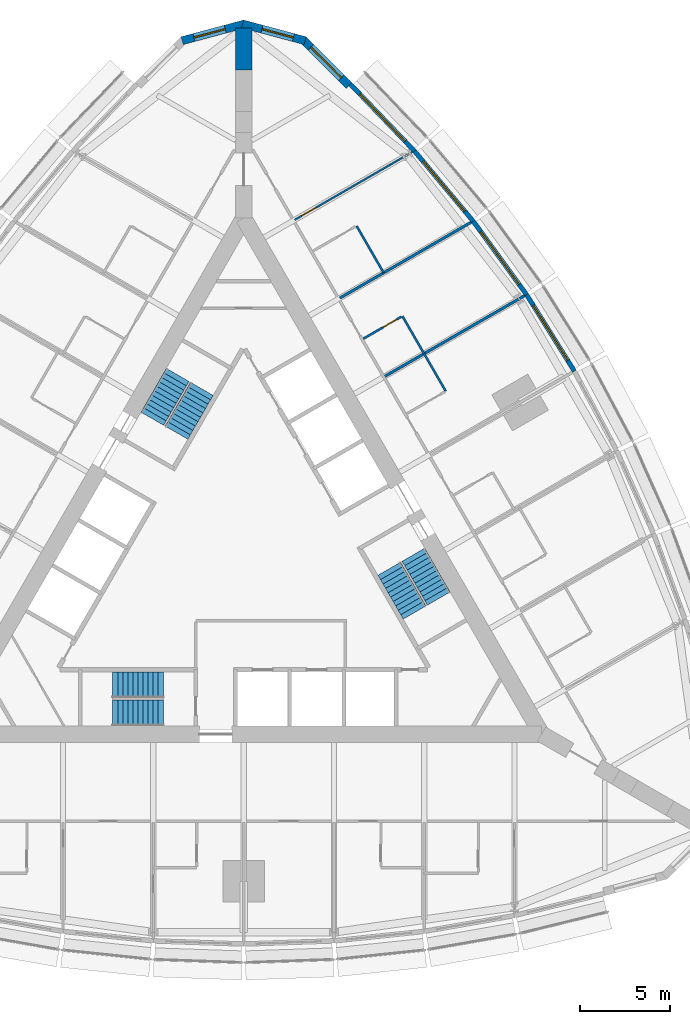
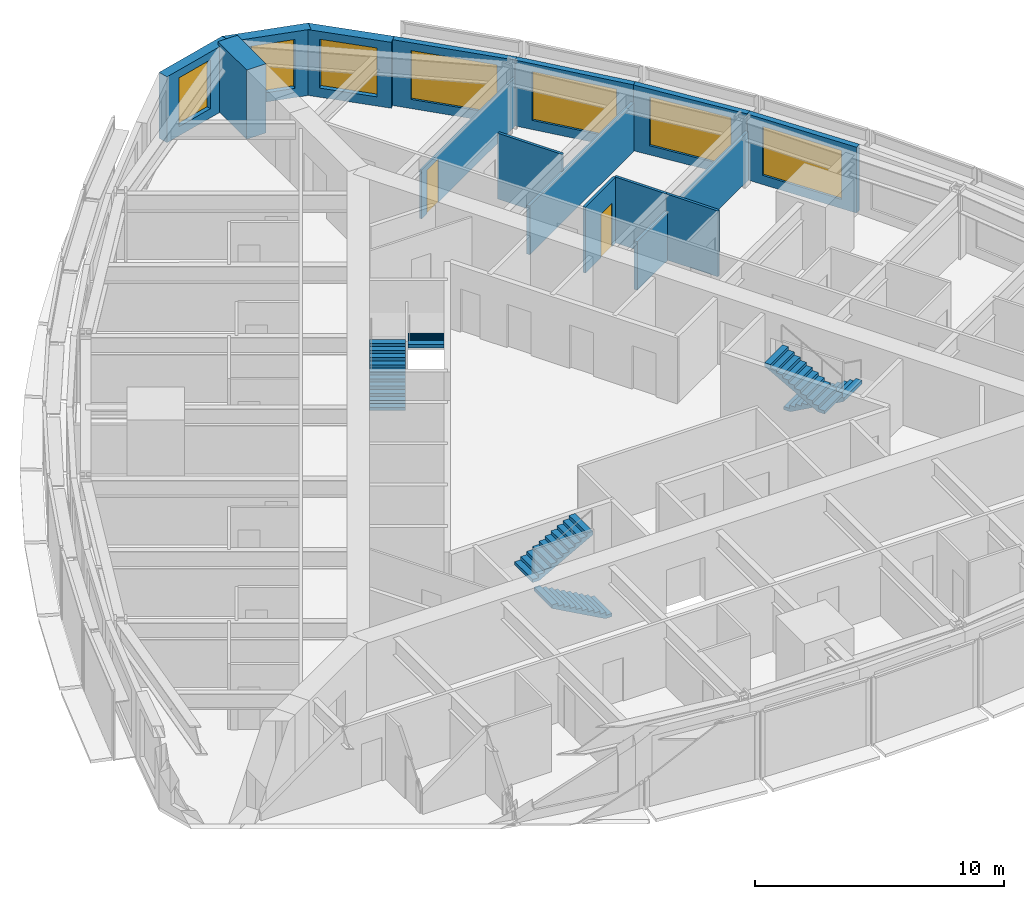
# One storey, part 13 of 14: 15 walls, 7 windows, 6 stair flights, 2 doors, 9 openings, 3 elements without a shape of their own.
"""IFC4 building model written with IfcOpenShell, lengths in metres."""

from ifc_helpers import new_model, si_unit, direction, frame, frame_2d, origin, place, context, subcontext, project, spatial, polyline, rectangle, outline, extrude, material, layer, layer_set, type_object, element, fill, aggregate, save


model = new_model("IFC4")

# Units and contexts
model_context = context("Model", 3, precision=1e-05, world=origin(), true_north=direction((0.0, 1.0)))
body_context = subcontext(model_context, "Body", "Model", "MODEL_VIEW")
ifc_project = project(units=[si_unit("LENGTHUNIT", "METRE"), si_unit("AREAUNIT", "SQUARE_METRE"), si_unit("VOLUMEUNIT", "CUBIC_METRE"), si_unit("PLANEANGLEUNIT", "RADIAN"), si_unit("MASSUNIT", "GRAM", prefix="KILO")], contexts=[model_context])

# Site, building, storey
site_placement = place(None, origin())
site = spatial("IfcSite", under=ifc_project, at=site_placement, CompositionType="ELEMENT")
building_placement = place(site_placement, origin())
building = spatial("IfcBuilding", under=site, at=building_placement, Name="Trikona Tower", CompositionType="ELEMENT")
storey_placement = place(building_placement, frame((0.0, 0.0, 138.5)))
storey = spatial("IfcBuildingStorey", under=building, at=storey_placement, Name="L36", CompositionType="ELEMENT", Elevation=138.5)

# Walls
ifc_material_1 = material(Name="Metal stud and cement board", Category="gypsum")
ifc_layer_1 = layer(ifc_material_1, 0.1201171875)
ifc_layer_set_1 = layer_set([ifc_layer_1], Name="Bathroom wall 120")
wall_type_1 = type_object("IfcWallType", Name="Bathroom wall 120", PredefinedType="PLUMBINGWALL", material=ifc_layer_set_1)
for number, where, z_axis, x_axis, name in (
    (1, (11.193603515625, 9.46484375, 0.0), (0.0, 0.0, 1.0), (-0.500077600433, 0.865980596518, 0.0), "Bathroom wall 3608"),
    (2, (9.993408203125, 11.543212890625, 0.0), (0.0, 0.0, 1.0), (-0.500001309137, 0.866024647952, 0.0), "Bathroom wall 3609"),
):
    element("IfcWall", number, at=place(storey_placement, frame(where, z_axis=z_axis, x_axis=x_axis)), inside=storey, type_object=wall_type_1, Name=name, PredefinedType="PLUMBINGWALL", context=body_context, shape_type="SweptSolid", body=[
        extrude(rectangle(XDim=2.39990234375, YDim=0.1201171875, at=frame_2d((1.199951171875, 0.0))), origin(), (0.0, 0.0, 1.0), 3.235107421875),
    ])

# Wall, opening, door
wall_1_placement = place(storey_placement, frame((6.62841796875, 12.37158203125, 0.0), z_axis=(0.0, 0.0, 1.0), x_axis=(0.866005645448, 0.500034220881, 0.0)))
wall_1 = element("IfcWall", 3, at=wall_1_placement, inside=storey, type_object=wall_type_1, Name="Bathroom wall 3609", PredefinedType="PLUMBINGWALL", context=body_context, shape_type="SweptSolid", body=[
    extrude(rectangle(XDim=2.440185546875, YDim=0.1201171875, at=frame_2d((1.22021484375, 0.0))), origin(), (0.0, 0.0, 1.0), 3.235107421875),
])
opening_1_placement = place(wall_1_placement, frame((1.25, 0.0, 0.0)))
opening_1 = element("IfcOpeningElement", 4, at=opening_1_placement, cuts=wall_1, Name="Opening D2", PredefinedType="OPENING", context=body_context, shape_type="SweptSolid", body=[
    extrude(rectangle(XDim=0.89990234375, YDim=2.1298828125, at=frame_2d((0.449951171875, 1.06494140625))), frame((0.0, 0.070068359375, 0.0), z_axis=(0.0, -1.0, 0.0), x_axis=(1.0, 0.0, 0.0)), (0.0, 0.0, 1.0), 0.14013671875),
])
ifc_material_2 = material(Name="Steel door frame with solid-core timber leaf", Category="steel")
door_type_1 = type_object("IfcDoorType", Name="Bathroom door 900x2130", OperationType="SLIDING_TO_LEFT", PredefinedType="DOOR", material=ifc_material_2)
door_1_placement = place(opening_1_placement, origin())
door_1 = element("IfcDoor", 5, at=door_1_placement, inside=storey, type_object=door_type_1, Name="Bathroom door 3609", OperationType="SLIDING_TO_LEFT", OverallHeight=2.1298828125, OverallWidth=0.89990234375, PredefinedType="DOOR", context=body_context, shape_type="SweptSolid", body=[
    extrude(rectangle(XDim=0.89990234375, YDim=2.1298828125, at=frame_2d((0.449951171875, 1.06494140625))), frame((0.0, 0.02490234375, 0.0), z_axis=(0.0, -1.0, 0.0), x_axis=(1.0, 0.0, 0.0)), (0.0, 0.0, 1.0), 0.050048828125),
])
fill(opening_1, door_1)

# Wall
wall_2_placement = place(storey_placement, frame((7.75341796875, 16.0234375, 0.0), z_axis=(0.0, 0.0, 1.0), x_axis=(-0.499990139034, 0.866031096941, 0.0)))
element("IfcWall", 6, at=wall_2_placement, inside=storey, type_object=wall_type_1, Name="Bathroom wall 3610.1", PredefinedType="PLUMBINGWALL", context=body_context, shape_type="SweptSolid", body=[
    extrude(rectangle(XDim=3.0, YDim=0.1201171875, at=frame_2d((1.5, 0.0))), origin(), (0.0, 0.0, 1.0), 3.235107421875),
])

# Wall, opening, window
ifc_material_3 = material(Name="Brick-faced precast concrete", Category="masonry")
ifc_layer_2 = layer(ifc_material_3, 0.449951171875)
ifc_layer_set_2 = layer_set([ifc_layer_2], Name="Brick-faced corner wall 450")
wall_type_2 = type_object("IfcWallType", Name="Brick-faced corner wall 450", PredefinedType="SOLIDWALL", material=ifc_layer_set_2)
wall_3_placement = place(storey_placement, frame((5.8408203125, 26.39892578125, 0.0), z_axis=(0.0, 0.0, 1.0), x_axis=(-0.707106781187, 0.707106781187, 0.0)))
wall_3 = element("IfcWall", 7, at=wall_3_placement, inside=storey, type_object=wall_type_2, Name="External wall L36-20", PredefinedType="SOLIDWALL", context=body_context, shape_type="SweptSolid", body=[
    extrude(rectangle(XDim=3.586181640625, YDim=0.449951171875, at=frame_2d((1.79296875, 0.0))), origin(), (0.0, 0.0, 1.0), 3.235107421875),
])
opening_2_placement = place(wall_3_placement, frame((0.59326171875, 0.0, 0.449951171875)))
opening_2 = element("IfcOpeningElement", 8, at=opening_2_placement, cuts=wall_3, Name="Opening W2424", PredefinedType="OPENING", context=body_context, shape_type="SweptSolid", body=[
    extrude(rectangle(XDim=2.39990234375, YDim=2.39990234375, at=frame_2d((1.199951171875, 1.199951171875))), frame((0.0, 0.23486328125, 0.0), z_axis=(0.0, -1.0, 0.0), x_axis=(1.0, 0.0, 0.0)), (0.0, 0.0, 1.0), 0.469970703125),
])
ifc_material_4 = material(Name="Aluminium-framed double glazing", Category="aluminium")
window_type_1 = type_object("IfcWindowType", Name="Window 2400x2400", PartitioningType="SINGLE_PANEL", PredefinedType="WINDOW", material=ifc_material_4)
window_1_placement = place(opening_2_placement, origin())
window_1 = element("IfcWindow", 9, at=window_1_placement, inside=storey, type_object=window_type_1, Name="Window 3610", OverallHeight=2.39990234375, OverallWidth=2.39990234375, PartitioningType="SINGLE_PANEL", PredefinedType="WINDOW", context=body_context, shape_type="SweptSolid", body=[
    extrude(rectangle(XDim=2.39990234375, YDim=2.39990234375, at=frame_2d((1.199951171875, 1.199951171875))), frame((0.0, 0.030029296875, 0.0), z_axis=(0.0, -1.0, 0.0), x_axis=(1.0, 0.0, 0.0)), (0.0, 0.0, 1.0), 0.06005859375),
])
fill(opening_2, window_1)

wall_4_placement = place(storey_placement, frame((3.406005859375, 28.876708984375, 0.0), z_axis=(0.0, 0.0, 1.0), x_axis=(-0.965924653531, 0.258823421857, 0.0)))
wall_4 = element("IfcWall", 10, at=wall_4_placement, inside=storey, type_object=wall_type_2, Name="External wall L36-21", PredefinedType="SOLIDWALL", context=body_context, shape_type="SweptSolid", body=[
    extrude(outline(polyline([(3.58642578125, 0.22509765625), (3.526611328125, 0.22509765625), (3.035400390625, 0.09326171875), (3.0, 0.22509765625), (0.0, 0.22509765625), (0.0, -0.22509765625), (3.58642578125, -0.22509765625), (3.58642578125, 0.22509765625)])), origin(), (0.0, 0.0, 1.0), 3.235107421875),
])
opening_3_placement = place(wall_4_placement, frame((0.6748046875, 0.0, 0.449951171875)))
opening_3 = element("IfcOpeningElement", 11, at=opening_3_placement, cuts=wall_4, Name="Opening W1824", PredefinedType="OPENING", context=body_context, shape_type="SweptSolid", body=[
    extrude(rectangle(XDim=1.800048828125, YDim=2.39990234375, at=frame_2d((0.89990234375, 1.199951171875))), frame((0.0, 0.23486328125, 0.0), z_axis=(0.0, -1.0, 0.0), x_axis=(1.0, 0.0, 0.0)), (0.0, 0.0, 1.0), 0.469970703125),
])
ifc_material_5 = material(Name="Aluminium-framed double glazing", Category="aluminium")
window_type_2 = type_object("IfcWindowType", Name="Window 1800x2400", PartitioningType="SINGLE_PANEL", PredefinedType="WINDOW", material=ifc_material_5)
window_2_placement = place(opening_3_placement, origin())
window_2 = element("IfcWindow", 12, at=window_2_placement, inside=storey, type_object=window_type_2, Name="Window 3610", OverallHeight=2.39990234375, OverallWidth=1.800048828125, PartitioningType="SINGLE_PANEL", PredefinedType="WINDOW", context=body_context, shape_type="SweptSolid", body=[
    extrude(rectangle(XDim=1.800048828125, YDim=2.39990234375, at=frame_2d((0.89990234375, 1.199951171875))), frame((0.0, 0.030029296875, 0.0), z_axis=(0.0, -1.0, 0.0), x_axis=(1.0, 0.0, 0.0)), (0.0, 0.0, 1.0), 0.06005859375),
])
fill(opening_3, window_2)

wall_5_placement = place(storey_placement, frame((0.05810546875, 29.804931640625, 0.0), z_axis=(0.0, 0.0, 1.0), x_axis=(-0.965924653531, -0.258823421857, 0.0)))
wall_5 = element("IfcWall", 13, at=wall_5_placement, inside=storey, type_object=wall_type_2, Name="External wall L36-22", PredefinedType="SOLIDWALL", context=body_context, shape_type="SweptSolid", body=[
    extrude(outline(polyline([(3.58642578125, 0.22509765625), (0.58642578125, 0.22509765625), (0.551025390625, 0.09326171875), (0.0595703125, 0.22509765625), (0.0, 0.22509765625), (0.0, -0.22509765625), (3.58642578125, -0.22509765625), (3.58642578125, 0.22509765625)])), origin(), (0.0, 0.0, 1.0), 3.235107421875),
])
opening_4_placement = place(wall_5_placement, frame((1.111328125, 0.0, 0.449951171875)))
opening_4 = element("IfcOpeningElement", 14, at=opening_4_placement, cuts=wall_5, Name="Opening W1824", PredefinedType="OPENING", context=body_context, shape_type="SweptSolid", body=[
    extrude(rectangle(XDim=1.800048828125, YDim=2.39990234375, at=frame_2d((0.89990234375, 1.199951171875))), frame((0.0, 0.23486328125, 0.0), z_axis=(0.0, -1.0, 0.0), x_axis=(1.0, 0.0, 0.0)), (0.0, 0.0, 1.0), 0.469970703125),
])
window_3_placement = place(opening_4_placement, origin())
window_3 = element("IfcWindow", 15, at=window_3_placement, inside=storey, type_object=window_type_2, Name="Window 3611", OverallHeight=2.39990234375, OverallWidth=1.800048828125, PartitioningType="SINGLE_PANEL", PredefinedType="WINDOW", context=body_context, shape_type="SweptSolid", body=[
    extrude(rectangle(XDim=1.800048828125, YDim=2.39990234375, at=frame_2d((0.89990234375, 1.199951171875))), frame((0.0, 0.030029296875, 0.0), z_axis=(0.0, -1.0, 0.0), x_axis=(1.0, 0.0, 0.0)), (0.0, 0.0, 1.0), 0.06005859375),
])
fill(opening_4, window_3)

# Wall
ifc_material_6 = material(Name="Concrete f'c 10000 psi", Category="concrete")
ifc_layer_3 = layer(ifc_material_6, 0.89990234375)
ifc_layer_set_3 = layer_set([ifc_layer_3], Name="Buttress wall 900")
wall_type_3 = type_object("IfcWallType", Name="Buttress wall 900", PredefinedType="SHEAR", material=ifc_layer_set_3)
wall_6_placement = place(storey_placement, frame((0.0, 27.2626953125, 0.0), z_axis=(0.0, 0.0, 1.0), x_axis=(0.0, 1.0, 0.0)))
element("IfcWall", 16, at=wall_6_placement, inside=storey, type_object=wall_type_3, Name="Buttress wall 2 part 4", PredefinedType="SHEAR", context=body_context, shape_type="SweptSolid", body=[
    extrude(rectangle(XDim=2.3095703125, YDim=0.89990234375, at=frame_2d((1.15478515625, 0.0))), origin(), (0.0, 0.0, 1.0), 3.39990234375),
])

# Wall, opening, window
ifc_material_7 = material(Name="Insulated precast concrete spandrel panel", Category="concrete")
ifc_layer_4 = layer(ifc_material_7, 0.25)
ifc_layer_set_4 = layer_set([ifc_layer_4], Name="Inner skin wall 250")
wall_type_4 = type_object("IfcWallType", Name="Inner skin wall 250", PredefinedType="STANDARD", material=ifc_layer_set_4)
wall_7_placement = place(storey_placement, frame((18.31884765625, 10.5712890625, 0.0), z_axis=(0.0, 0.0, 1.0), x_axis=(-0.529990167382, 0.84800378683, 0.0)))
wall_7 = element("IfcWall", 17, at=wall_7_placement, inside=storey, type_object=wall_type_4, Name="External wall L36-16", PredefinedType="STANDARD", context=body_context, shape_type="SweptSolid", body=[
    extrude(rectangle(XDim=5.003173828125, YDim=0.25, at=frame_2d((2.50146484375, 0.0))), origin(), (0.0, 0.0, 1.0), 3.235107421875),
])
opening_5_placement = place(wall_7_placement, frame((0.701416015625, 0.0, 0.449951171875)))
opening_5 = element("IfcOpeningElement", 18, at=opening_5_placement, cuts=wall_7, Name="Opening W3624", PredefinedType="OPENING", context=body_context, shape_type="SweptSolid", body=[
    extrude(rectangle(XDim=3.60009765625, YDim=2.39990234375, at=frame_2d((1.800048828125, 1.199951171875))), frame((0.0, 0.135009765625, 0.0), z_axis=(0.0, -1.0, 0.0), x_axis=(1.0, 0.0, 0.0)), (0.0, 0.0, 1.0), 0.27001953125),
])
ifc_material_8 = material(Name="Aluminium-framed double glazing", Category="aluminium")
window_type_3 = type_object("IfcWindowType", Name="Window 3600x2400", PartitioningType="SINGLE_PANEL", PredefinedType="WINDOW", material=ifc_material_8)
window_4_placement = place(opening_5_placement, origin())
window_4 = element("IfcWindow", 19, at=window_4_placement, inside=storey, type_object=window_type_3, Name="Window 3608", OverallHeight=2.39990234375, OverallWidth=3.60009765625, PartitioningType="SINGLE_PANEL", PredefinedType="WINDOW", context=body_context, shape_type="SweptSolid", body=[
    extrude(rectangle(XDim=3.60009765625, YDim=2.39990234375, at=frame_2d((1.800048828125, 1.199951171875))), frame((0.0, 0.030029296875, 0.0), z_axis=(0.0, -1.0, 0.0), x_axis=(1.0, 0.0, 0.0)), (0.0, 0.0, 1.0), 0.06005859375),
])
fill(opening_5, window_4)

wall_8_placement = place(storey_placement, frame((15.672119140625, 14.806640625, 0.0), z_axis=(0.0, 0.0, 1.0), x_axis=(-0.587669188412, 0.809101307001, 0.0)))
wall_8 = element("IfcWall", 20, at=wall_8_placement, inside=storey, type_object=wall_type_4, Name="External wall L36-17", PredefinedType="STANDARD", context=body_context, shape_type="SweptSolid", body=[
    extrude(rectangle(XDim=5.027587890625, YDim=0.25, at=frame_2d((2.513671875, 0.0))), origin(), (0.0, 0.0, 1.0), 3.235107421875),
])
opening_6_placement = place(wall_8_placement, frame((0.7138671875, 0.0, 0.449951171875)))
opening_6 = element("IfcOpeningElement", 21, at=opening_6_placement, cuts=wall_8, Name="Opening W3624", PredefinedType="OPENING", context=body_context, shape_type="SweptSolid", body=[
    extrude(rectangle(XDim=3.60009765625, YDim=2.39990234375, at=frame_2d((1.800048828125, 1.199951171875))), frame((0.0, 0.135009765625, 0.0), z_axis=(0.0, -1.0, 0.0), x_axis=(1.0, 0.0, 0.0)), (0.0, 0.0, 1.0), 0.27001953125),
])
window_5_placement = place(opening_6_placement, origin())
window_5 = element("IfcWindow", 22, at=window_5_placement, inside=storey, type_object=window_type_3, Name="Window 3609", OverallHeight=2.39990234375, OverallWidth=3.60009765625, PartitioningType="SINGLE_PANEL", PredefinedType="WINDOW", context=body_context, shape_type="SweptSolid", body=[
    extrude(rectangle(XDim=3.60009765625, YDim=2.39990234375, at=frame_2d((1.800048828125, 1.199951171875))), frame((0.0, 0.030029296875, 0.0), z_axis=(0.0, -1.0, 0.0), x_axis=(1.0, 0.0, 0.0)), (0.0, 0.0, 1.0), 0.06005859375),
])
fill(opening_6, window_5)

wall_9_placement = place(storey_placement, frame((12.722900390625, 18.86767578125, 0.0), z_axis=(0.0, 0.0, 1.0), x_axis=(-0.641810386606, 0.766863369607, 0.0)))
wall_9 = element("IfcWall", 23, at=wall_9_placement, inside=storey, type_object=wall_type_4, Name="External wall L36-18", PredefinedType="STANDARD", context=body_context, shape_type="SweptSolid", body=[
    extrude(rectangle(XDim=5.075927734375, YDim=0.25, at=frame_2d((2.5380859375, 0.0))), origin(), (0.0, 0.0, 1.0), 3.235107421875),
])
opening_7_placement = place(wall_9_placement, frame((0.738037109375, 0.0, 0.449951171875)))
opening_7 = element("IfcOpeningElement", 24, at=opening_7_placement, cuts=wall_9, Name="Opening W3624", PredefinedType="OPENING", context=body_context, shape_type="SweptSolid", body=[
    extrude(rectangle(XDim=3.60009765625, YDim=2.39990234375, at=frame_2d((1.800048828125, 1.199951171875))), frame((0.0, 0.135009765625, 0.0), z_axis=(0.0, -1.0, 0.0), x_axis=(1.0, 0.0, 0.0)), (0.0, 0.0, 1.0), 0.27001953125),
])
window_6_placement = place(opening_7_placement, origin())
window_6 = element("IfcWindow", 25, at=window_6_placement, inside=storey, type_object=window_type_3, Name="Window 3610.1", OverallHeight=2.39990234375, OverallWidth=3.60009765625, PartitioningType="SINGLE_PANEL", PredefinedType="WINDOW", context=body_context, shape_type="SweptSolid", body=[
    extrude(rectangle(XDim=3.60009765625, YDim=2.39990234375, at=frame_2d((1.800048828125, 1.199951171875))), frame((0.0, 0.030029296875, 0.0), z_axis=(0.0, -1.0, 0.0), x_axis=(1.0, 0.0, 0.0)), (0.0, 0.0, 1.0), 0.06005859375),
])
fill(opening_7, window_6)

wall_10_placement = place(storey_placement, frame((9.470703125, 22.75390625, 0.0), z_axis=(0.0, 0.0, 1.0), x_axis=(-0.691719937936, 0.722165858693, 0.0)))
wall_10 = element("IfcWall", 26, at=wall_10_placement, inside=storey, type_object=wall_type_4, Name="External wall L36-19", PredefinedType="STANDARD", context=body_context, shape_type="SweptSolid", body=[
    extrude(rectangle(XDim=5.148193359375, YDim=0.25, at=frame_2d((2.57421875, 0.0))), origin(), (0.0, 0.0, 1.0), 3.235107421875),
])
opening_8_placement = place(wall_10_placement, frame((0.77392578125, 0.0, 0.449951171875)))
opening_8 = element("IfcOpeningElement", 27, at=opening_8_placement, cuts=wall_10, Name="Opening W3624", PredefinedType="OPENING", context=body_context, shape_type="SweptSolid", body=[
    extrude(rectangle(XDim=3.60009765625, YDim=2.39990234375, at=frame_2d((1.800048828125, 1.199951171875))), frame((0.0, 0.135009765625, 0.0), z_axis=(0.0, -1.0, 0.0), x_axis=(1.0, 0.0, 0.0)), (0.0, 0.0, 1.0), 0.27001953125),
])
window_7_placement = place(opening_8_placement, origin())
window_7 = element("IfcWindow", 28, at=window_7_placement, inside=storey, type_object=window_type_3, Name="Window 3610", OverallHeight=2.39990234375, OverallWidth=3.60009765625, PartitioningType="SINGLE_PANEL", PredefinedType="WINDOW", context=body_context, shape_type="SweptSolid", body=[
    extrude(rectangle(XDim=3.60009765625, YDim=2.39990234375, at=frame_2d((1.800048828125, 1.199951171875))), frame((0.0, 0.030029296875, 0.0), z_axis=(0.0, -1.0, 0.0), x_axis=(1.0, 0.0, 0.0)), (0.0, 0.0, 1.0), 0.06005859375),
])
fill(opening_8, window_7)

# Walls
ifc_material_9 = material(Name="Metal stud and gypsum board, 1-hour acoustic", Category="gypsum")
ifc_layer_5 = layer(ifc_material_9, 0.14990234375)
ifc_layer_set_5 = layer_set([ifc_layer_5], Name="Party wall 150")
wall_type_5 = type_object("IfcWallType", Name="Party wall 150", PredefinedType="PARTITIONING", material=ifc_layer_set_5)
wall_11_placement = place(storey_placement, frame((7.82861328125, 10.293212890625, 0.0), z_axis=(0.0, 0.0, 1.0), x_axis=(0.866027015393, 0.499997208602, 0.0)))
element("IfcWall", 29, at=wall_11_placement, inside=storey, type_object=wall_type_5, Name="Partition L36 F2 u5", PredefinedType="PARTITIONING", context=body_context, shape_type="SweptSolid", body=[
    extrude(rectangle(XDim=8.92236328125, YDim=0.14990234375, at=frame_2d((4.461181640625, 0.0))), origin(), (0.0, 0.0, 1.0), 2.38916015625),
])
wall_12_placement = place(storey_placement, frame((5.32861328125, 14.623291015625, 0.0), z_axis=(0.0, 0.0, 1.0), x_axis=(0.866011723728, 0.500023693804, 0.0)))
element("IfcWall", 30, at=wall_12_placement, inside=storey, type_object=wall_type_5, Name="Partition L36 F2 u10", PredefinedType="PARTITIONING", context=body_context, shape_type="SweptSolid", body=[
    extrude(rectangle(XDim=8.39501953125, YDim=0.14990234375, at=frame_2d((4.197509765625, 0.0))), origin(), (0.0, 0.0, 1.0), 2.38916015625),
])

# Wall, opening, door
ifc_material_10 = material(Name="Metal stud and gypsum board, acoustic", Category="gypsum")
ifc_layer_6 = layer(ifc_material_10, 0.10009765625)
ifc_layer_set_6 = layer_set([ifc_layer_6], Name="Suite partition 100")
wall_type_6 = type_object("IfcWallType", Name="Suite partition 100", PredefinedType="PARTITIONING", material=ifc_layer_set_6)
wall_13_placement = place(storey_placement, frame((2.82861328125, 18.95361328125, 0.0), z_axis=(0.0, 0.0, 1.0), x_axis=(0.866015739374, 0.500016738876, 0.0)))
wall_13 = element("IfcWall", 31, at=wall_13_placement, inside=storey, type_object=wall_type_6, Name="Suite partition L36 F2 u15", PredefinedType="PARTITIONING", context=body_context, shape_type="SweptSolid", body=[
    extrude(rectangle(XDim=7.516357421875, YDim=0.10009765625, at=frame_2d((3.75830078125, 0.0))), origin(), (0.0, 0.0, 1.0), 2.38916015625),
])
opening_9_placement = place(wall_13_placement, frame((0.449951171875, 0.0, 0.0)))
opening_9 = element("IfcOpeningElement", 32, at=opening_9_placement, cuts=wall_13, Name="Opening D13", PredefinedType="OPENING", context=body_context, shape_type="SweptSolid", body=[
    extrude(rectangle(XDim=0.89990234375, YDim=2.1298828125, at=frame_2d((0.449951171875, 1.06494140625))), frame((0.0, 0.06005859375, 0.0), z_axis=(0.0, -1.0, 0.0), x_axis=(1.0, 0.0, 0.0)), (0.0, 0.0, 1.0), 0.1201171875),
])
ifc_material_11 = material(Name="Steel door frame with solid-core timber leaf", Category="steel")
door_type_2 = type_object("IfcDoorType", Name="Suite door 900x2130", OperationType="SINGLE_SWING_LEFT", PredefinedType="DOOR", material=ifc_material_11)
door_2_placement = place(opening_9_placement, origin())
door_2 = element("IfcDoor", 33, at=door_2_placement, inside=storey, type_object=door_type_2, Name="Suite door 3610", OperationType="SINGLE_SWING_LEFT", OverallHeight=2.1298828125, OverallWidth=0.89990234375, PredefinedType="DOOR", context=body_context, shape_type="SweptSolid", body=[
    extrude(rectangle(XDim=0.89990234375, YDim=2.1298828125, at=frame_2d((0.449951171875, 1.06494140625))), frame((0.0, 0.02490234375, 0.0), z_axis=(0.0, -1.0, 0.0), x_axis=(1.0, 0.0, 0.0)), (0.0, 0.0, 1.0), 0.050048828125),
])
fill(opening_9, door_2)

# Stair, stair flights
ifc_material_12 = material(Name="Concrete f'c 5000 psi", Category="concrete")
stair_type = type_object("IfcStairType", Name="Core stair", PredefinedType="HALF_TURN_STAIR", material=ifc_material_12)
stair_1_placement = place(storey_placement, origin())
stair_1 = element("IfcStair", 34, at=stair_1_placement, inside=storey, type_object=stair_type, Name="Stair A L36", PredefinedType="HALF_TURN_STAIR")
ifc_material_13 = material(Name="Concrete f'c 5000 psi", Category="concrete")
stair_flight_type = type_object("IfcStairFlightType", Name="Core stair flight 1450", PredefinedType="STRAIGHT", material=ifc_material_13)
stair_flight_1_placement = place(storey_placement, frame((-4.449951171875, -8.351318359375, 0.0), z_axis=(0.0, 0.0, 1.0), x_axis=(-1.0, 0.0, 0.0)))
stair_flight_1 = element("IfcStairFlight", 35, at=stair_flight_1_placement, type_object=stair_flight_type, Name="ST-A flight 1", NumberOfRisers=11, NumberOfTreads=10, PredefinedType="STRAIGHT", RiserHeight=0.154545, TreadLength=0.28, context=body_context, shape_type="SweptSolid", body=[
    extrude(outline(polyline([(0.0, 0.0), (0.0, 0.154541015625), (0.280029296875, 0.154541015625), (0.280029296875, 0.30908203125), (0.56005859375, 0.30908203125), (0.56005859375, 0.463623046875), (0.840087890625, 0.463623046875), (0.840087890625, 0.6181640625), (1.1201171875, 0.6181640625), (1.1201171875, 0.772705078125), (1.39990234375, 0.772705078125), (1.39990234375, 0.92724609375), (1.679931640625, 0.92724609375), (1.679931640625, 1.081787109375), (1.9599609375, 1.081787109375), (1.9599609375, 1.236328125), (2.239990234375, 1.236328125), (2.239990234375, 1.390869140625), (2.52001953125, 1.390869140625), (2.52001953125, 1.54541015625), (2.800048828125, 1.54541015625), (2.800048828125, 1.699951171875), (2.800048828125, 1.374267578125), (0.310302734375, 0.0), (0.0, 0.0)])), frame((0.0, 0.72509765625, 0.0), z_axis=(0.0, -1.0, 0.0), x_axis=(1.0, 0.0, 0.0)), (0.0, 0.0, 1.0), 1.449951171875),
])
stair_flight_2_placement = place(storey_placement, frame((-7.25, -6.80126953125, 1.699951171875), z_axis=(0.0, 0.0, 1.0), x_axis=(1.0, 0.0, 0.0)))
stair_flight_2 = element("IfcStairFlight", 36, at=stair_flight_2_placement, type_object=stair_flight_type, Name="ST-A flight 2", NumberOfRisers=11, NumberOfTreads=10, PredefinedType="STRAIGHT", RiserHeight=0.154545, TreadLength=0.28, context=body_context, shape_type="SweptSolid", body=[
    extrude(outline(polyline([(0.0, 0.0), (0.0, 0.154541015625), (0.280029296875, 0.154541015625), (0.280029296875, 0.30908203125), (0.56005859375, 0.30908203125), (0.56005859375, 0.463623046875), (0.840087890625, 0.463623046875), (0.840087890625, 0.6181640625), (1.1201171875, 0.6181640625), (1.1201171875, 0.772705078125), (1.39990234375, 0.772705078125), (1.39990234375, 0.92724609375), (1.679931640625, 0.92724609375), (1.679931640625, 1.081787109375), (1.9599609375, 1.081787109375), (1.9599609375, 1.236328125), (2.239990234375, 1.236328125), (2.239990234375, 1.390869140625), (2.52001953125, 1.390869140625), (2.52001953125, 1.54541015625), (2.800048828125, 1.54541015625), (2.800048828125, 1.699951171875), (2.800048828125, 1.374267578125), (0.310302734375, 0.0), (0.0, 0.0)])), frame((0.0, 0.72509765625, 0.0), z_axis=(0.0, -1.0, 0.0), x_axis=(1.0, 0.0, 0.0)), (0.0, 0.0, 1.0), 1.449951171875),
])
aggregate(stair_1, [stair_flight_1, stair_flight_2])

stair_2_placement = place(storey_placement, origin())
stair_2 = element("IfcStair", 37, at=stair_2_placement, inside=storey, type_object=stair_type, Name="Stair B L36", PredefinedType="HALF_TURN_STAIR")
stair_flight_3_placement = place(storey_placement, frame((9.407470703125, 0.408447265625, 0.0), z_axis=(0.0, 0.0, 1.0), x_axis=(0.5, -0.866025403784, 0.0)))
stair_flight_3 = element("IfcStairFlight", 38, at=stair_flight_3_placement, type_object=stair_flight_type, Name="ST-B flight 1", NumberOfRisers=11, NumberOfTreads=10, PredefinedType="STRAIGHT", RiserHeight=0.154545, TreadLength=0.28, context=body_context, shape_type="SweptSolid", body=[
    extrude(outline(polyline([(0.0, 0.0), (0.0, 0.154541015625), (0.280029296875, 0.154541015625), (0.280029296875, 0.30908203125), (0.56005859375, 0.30908203125), (0.56005859375, 0.463623046875), (0.840087890625, 0.463623046875), (0.840087890625, 0.6181640625), (1.1201171875, 0.6181640625), (1.1201171875, 0.772705078125), (1.39990234375, 0.772705078125), (1.39990234375, 0.92724609375), (1.679931640625, 0.92724609375), (1.679931640625, 1.081787109375), (1.9599609375, 1.081787109375), (1.9599609375, 1.236328125), (2.239990234375, 1.236328125), (2.239990234375, 1.390869140625), (2.52001953125, 1.390869140625), (2.52001953125, 1.54541015625), (2.800048828125, 1.54541015625), (2.800048828125, 1.699951171875), (2.800048828125, 1.374267578125), (0.310302734375, 0.0), (0.0, 0.0)])), frame((0.0, 0.72509765625, 0.0), z_axis=(0.0, -1.0, 0.0), x_axis=(1.0, 0.0, 0.0)), (0.0, 0.0, 1.0), 1.449951171875),
])
stair_flight_4_placement = place(storey_placement, frame((9.465087890625, -2.79150390625, 1.699951171875), z_axis=(0.0, 0.0, 1.0), x_axis=(-0.5, 0.866025403784, 0.0)))
stair_flight_4 = element("IfcStairFlight", 39, at=stair_flight_4_placement, type_object=stair_flight_type, Name="ST-B flight 2", NumberOfRisers=11, NumberOfTreads=10, PredefinedType="STRAIGHT", RiserHeight=0.154545, TreadLength=0.28, context=body_context, shape_type="SweptSolid", body=[
    extrude(outline(polyline([(0.0, 0.0), (0.0, 0.154541015625), (0.280029296875, 0.154541015625), (0.280029296875, 0.30908203125), (0.56005859375, 0.30908203125), (0.56005859375, 0.463623046875), (0.840087890625, 0.463623046875), (0.840087890625, 0.6181640625), (1.1201171875, 0.6181640625), (1.1201171875, 0.772705078125), (1.39990234375, 0.772705078125), (1.39990234375, 0.92724609375), (1.679931640625, 0.92724609375), (1.679931640625, 1.081787109375), (1.9599609375, 1.081787109375), (1.9599609375, 1.236328125), (2.239990234375, 1.236328125), (2.239990234375, 1.390869140625), (2.52001953125, 1.390869140625), (2.52001953125, 1.54541015625), (2.800048828125, 1.54541015625), (2.800048828125, 1.699951171875), (2.800048828125, 1.374267578125), (0.310302734375, 0.0), (0.0, 0.0)])), frame((0.0, 0.72509765625, 0.0), z_axis=(0.0, -1.0, 0.0), x_axis=(1.0, 0.0, 0.0)), (0.0, 0.0, 1.0), 1.449951171875),
])
aggregate(stair_2, [stair_flight_3, stair_flight_4])

stair_3_placement = place(storey_placement, origin())
stair_3 = element("IfcStair", 40, at=stair_3_placement, inside=storey, type_object=stair_type, Name="Stair C L36", PredefinedType="HALF_TURN_STAIR")
stair_flight_5_placement = place(storey_placement, frame((-5.057373046875, 7.94287109375, 0.0), z_axis=(0.0, 0.0, 1.0), x_axis=(0.5, 0.866025403784, 0.0)))
stair_flight_5 = element("IfcStairFlight", 41, at=stair_flight_5_placement, type_object=stair_flight_type, Name="ST-C flight 1", NumberOfRisers=11, NumberOfTreads=10, PredefinedType="STRAIGHT", RiserHeight=0.154545, TreadLength=0.28, context=body_context, shape_type="SweptSolid", body=[
    extrude(outline(polyline([(0.0, 0.0), (0.0, 0.154541015625), (0.280029296875, 0.154541015625), (0.280029296875, 0.30908203125), (0.56005859375, 0.30908203125), (0.56005859375, 0.463623046875), (0.840087890625, 0.463623046875), (0.840087890625, 0.6181640625), (1.1201171875, 0.6181640625), (1.1201171875, 0.772705078125), (1.39990234375, 0.772705078125), (1.39990234375, 0.92724609375), (1.679931640625, 0.92724609375), (1.679931640625, 1.081787109375), (1.9599609375, 1.081787109375), (1.9599609375, 1.236328125), (2.239990234375, 1.236328125), (2.239990234375, 1.390869140625), (2.52001953125, 1.390869140625), (2.52001953125, 1.54541015625), (2.800048828125, 1.54541015625), (2.800048828125, 1.699951171875), (2.800048828125, 1.374267578125), (0.310302734375, 0.0), (0.0, 0.0)])), frame((0.0, 0.72509765625, 0.0), z_axis=(0.0, -1.0, 0.0), x_axis=(1.0, 0.0, 0.0)), (0.0, 0.0, 1.0), 1.449951171875),
])
stair_flight_6_placement = place(storey_placement, frame((-2.315185546875, 9.5927734375, 1.699951171875), z_axis=(0.0, 0.0, 1.0), x_axis=(-0.5, -0.866025403784, 0.0)))
stair_flight_6 = element("IfcStairFlight", 42, at=stair_flight_6_placement, type_object=stair_flight_type, Name="ST-C flight 2", NumberOfRisers=11, NumberOfTreads=10, PredefinedType="STRAIGHT", RiserHeight=0.154545, TreadLength=0.28, context=body_context, shape_type="SweptSolid", body=[
    extrude(outline(polyline([(0.0, 0.0), (0.0, 0.154541015625), (0.280029296875, 0.154541015625), (0.280029296875, 0.30908203125), (0.56005859375, 0.30908203125), (0.56005859375, 0.463623046875), (0.840087890625, 0.463623046875), (0.840087890625, 0.6181640625), (1.1201171875, 0.6181640625), (1.1201171875, 0.772705078125), (1.39990234375, 0.772705078125), (1.39990234375, 0.92724609375), (1.679931640625, 0.92724609375), (1.679931640625, 1.081787109375), (1.9599609375, 1.081787109375), (1.9599609375, 1.236328125), (2.239990234375, 1.236328125), (2.239990234375, 1.390869140625), (2.52001953125, 1.390869140625), (2.52001953125, 1.54541015625), (2.800048828125, 1.54541015625), (2.800048828125, 1.699951171875), (2.800048828125, 1.374267578125), (0.310302734375, 0.0), (0.0, 0.0)])), frame((0.0, 0.72509765625, 0.0), z_axis=(0.0, -1.0, 0.0), x_axis=(1.0, 0.0, 0.0)), (0.0, 0.0, 1.0), 1.449951171875),
])
aggregate(stair_3, [stair_flight_5, stair_flight_6])

save(model, "model.ifc")
